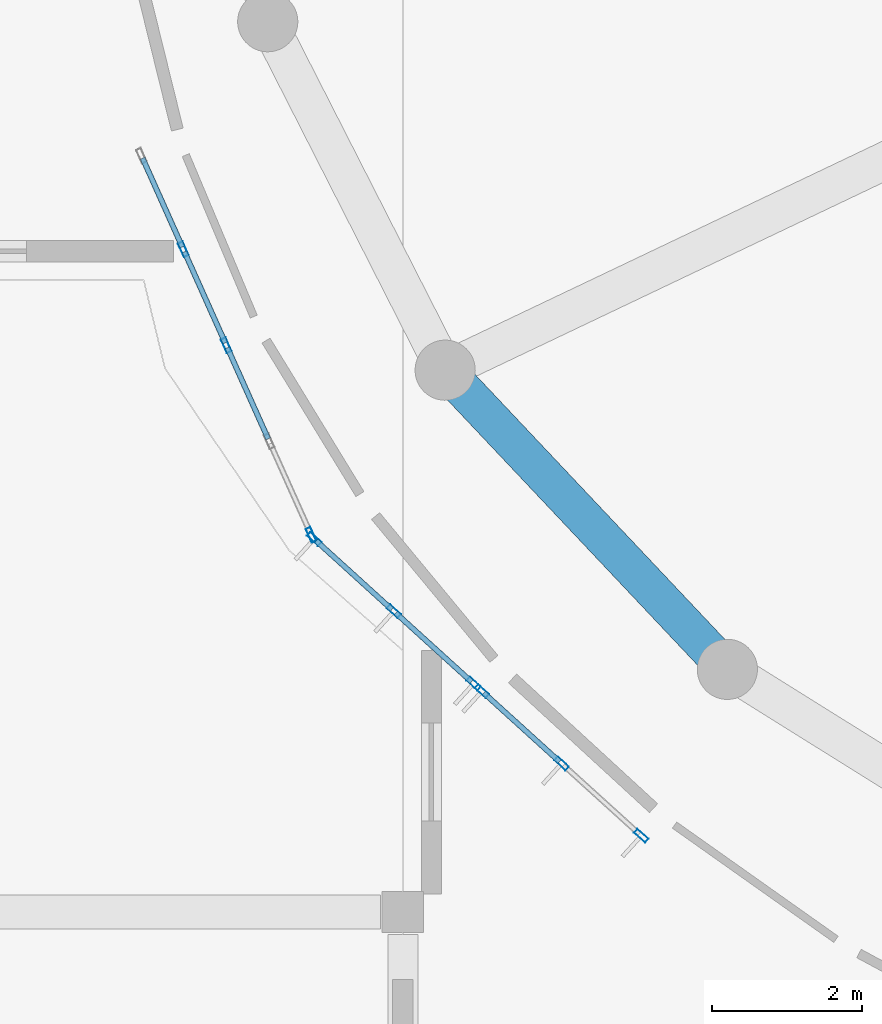
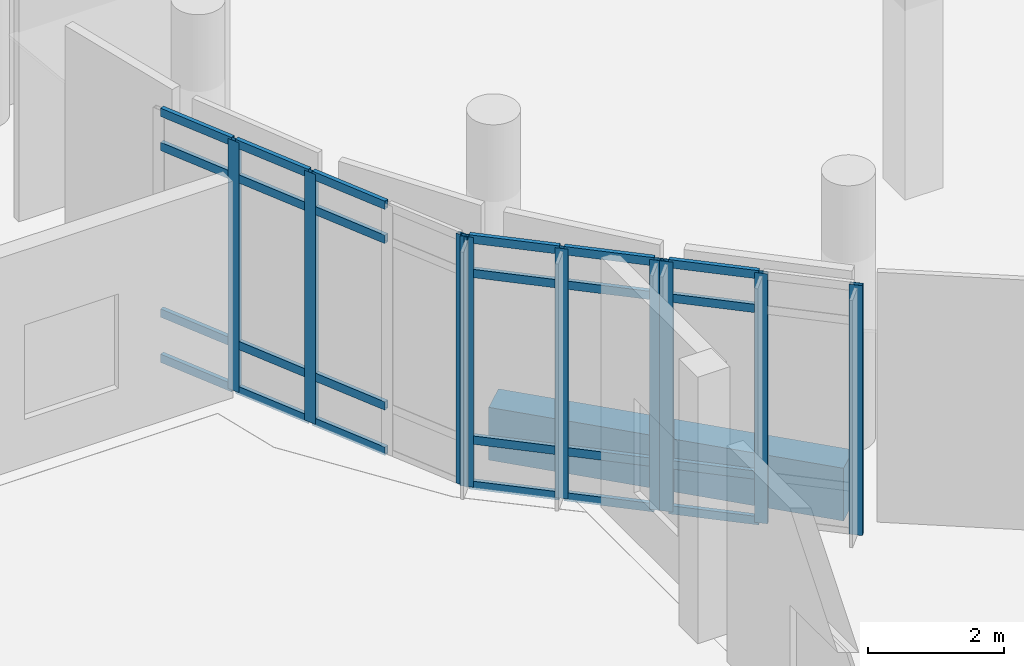
# One storey, part 3 of 63: 33 members, 1 beam, 3 elements without a shape of their own.
"""IFC4 building model written with IfcOpenShell, lengths in metres."""

from ifc_helpers import new_model, si_unit, derived_unit, direction, frame, origin, origin_2d, place, context, subcontext, project, spatial, rectangle, hollow_rectangle, extrude, material, layer, layer_set, material_profile, profile_set, type_object, element, aggregate, save


model = new_model("IFC4")

# Units and contexts
model_context = context("Model", 3, precision=1e-05, world=origin(), true_north=direction((0.0, 1.0)))
body_context = subcontext(model_context, "Body", "Model", "MODEL_VIEW")
ifc_project = project(units=[si_unit("LENGTHUNIT", "METRE"), si_unit("AREAUNIT", "SQUARE_METRE"), si_unit("VOLUMEUNIT", "CUBIC_METRE"), si_unit("PLANEANGLEUNIT", "RADIAN"), si_unit("MASSUNIT", "GRAM", prefix="KILO"), derived_unit("THERMALTRANSMITTANCEUNIT", [(si_unit("POWERUNIT", "WATT"), 1), (si_unit("LENGTHUNIT", "METRE"), -2), (si_unit("THERMODYNAMICTEMPERATUREUNIT", "KELVIN"), -1)])], contexts=[model_context])

# Site, building, storey
site_placement = place(None, origin())
site = spatial("IfcSite", under=ifc_project, at=site_placement, CompositionType="ELEMENT")
building_placement = place(site_placement, origin())
building = spatial("IfcBuilding", under=site, at=building_placement, Name="Elbkamm Science Centre", CompositionType="ELEMENT")
storey_placement = place(building_placement, frame((0.0, 0.0, 5.10009765625)))
storey = spatial("IfcBuildingStorey", under=building, at=storey_placement, Name="L01", CompositionType="ELEMENT", Elevation=5.10009765625)

# Beam
ifc_material_1 = material(Name="Concrete C40/50", Category="concrete")
ifc_material_profile_1 = material_profile(ifc_material_1, rectangle(XDim=0.5, YDim=0.949951171875, at=origin_2d()), Name="RC 500x950")
ifc_profile_set_1 = profile_set([ifc_material_profile_1], Name="Concrete C40/50")
beam_type = type_object("IfcBeamType", Name="BM-RC-500x950", PredefinedType="BEAM", material=ifc_profile_set_1)
beam_placement = place(storey_placement, frame((42.56201171875, 57.60009765625, -0.875), z_axis=(0.686122314522, -0.727486198848, 0.0), x_axis=(0.727486198848, 0.686122314522, 0.0)))
element("IfcBeam", 1, at=beam_placement, inside=storey, type_object=beam_type, Name="L01 Elliptical Shell Perimeter Ring Beam 15", PredefinedType="SPANDREL", context=body_context, shape_type="SweptSolid", body=[
    extrude(rectangle(XDim=0.5, YDim=0.949951171875, at=origin_2d()), origin(), (0.0, 0.0, 1.0), 5.465576171875),
])

# Curtain wall, members
ifc_material_2 = material(Name="Powder-coated aluminium and triple low-E glazing", Category="aluminium")
ifc_layer_1 = layer(ifc_material_2, 0.159912109375)
ifc_layer_set_1 = layer_set([ifc_layer_1], Name="Powder-coated aluminium and triple low-E glazing")
curtain_wall_type_1 = type_object("IfcCurtainWallType", Name="CW-UNIT-5580x4500", PredefinedType="USERDEFINED", material=ifc_layer_set_1)
curtain_wall_1_placement = place(storey_placement, origin())
curtain_wall_1 = element("IfcCurtainWall", 2, at=curtain_wall_1_placement, inside=storey, type_object=curtain_wall_type_1, Name="L01 Unitised Curtain Wall 012", ObjectType="UNITISED CURTAIN WALL", PredefinedType="USERDEFINED")
ifc_material_3 = material(Name="Powder-coated aluminium EN AW-6060", Category="aluminium")
ifc_material_profile_2 = material_profile(ifc_material_3, hollow_rectangle(XDim=0.070068359375, YDim=0.199951171875, WallThickness=0.00439453125, at=origin_2d()), Name="ALU M70x200")
ifc_profile_set_2 = profile_set([ifc_material_profile_2], Name="Powder-coated aluminium EN AW-6060")
member_type_1 = type_object("IfcMemberType", Name="CW-MUL-70x200", PredefinedType="MULLION", material=ifc_profile_set_2)
member_1_placement = place(storey_placement, frame((39.0830078125, 59.20556640625, 0.0), z_axis=(0.0, 0.0, 1.0), x_axis=(0.912753994477, 0.408509663981, 0.0)))
member_1 = element("IfcMember", 3, at=member_1_placement, type_object=member_type_1, Name="CW-007 mullion 2", PredefinedType="MULLION", context=body_context, shape_type="SweptSolid", body=[
    extrude(hollow_rectangle(XDim=0.070068359375, YDim=0.199951171875, WallThickness=0.00439453125, at=origin_2d()), origin(), (0.0, 0.0, 1.0), 4.5),
])
member_2_placement = place(storey_placement, frame((39.653564453125, 57.930419921875, 0.0), z_axis=(0.0, 0.0, 1.0), x_axis=(0.912753994477, 0.408509663981, 0.0)))
member_2 = element("IfcMember", 4, at=member_2_placement, type_object=member_type_1, Name="CW-007 mullion 3", PredefinedType="MULLION", context=body_context, shape_type="SweptSolid", body=[
    extrude(hollow_rectangle(XDim=0.070068359375, YDim=0.199951171875, WallThickness=0.00439453125, at=origin_2d()), origin(), (0.0, 0.0, 1.0), 4.5),
])
member_3_placement = place(storey_placement, frame((40.78076171875, 55.411865234375, 0.0), z_axis=(0.0, 0.0, 1.0), x_axis=(0.912753994477, 0.408509663981, 0.0)))
member_3 = element("IfcMember", 5, at=member_3_placement, type_object=member_type_1, Name="CW-007 mullion 5", PredefinedType="MULLION", context=body_context, shape_type="SweptSolid", body=[
    extrude(hollow_rectangle(XDim=0.070068359375, YDim=0.199951171875, WallThickness=0.00439453125, at=origin_2d()), origin(), (0.0, 0.0, 1.0), 4.5),
])

ifc_layer_2 = layer(ifc_material_2, 0.159912109375)
ifc_layer_set_2 = layer_set([ifc_layer_2], Name="Powder-coated aluminium and triple low-E glazing")
curtain_wall_type_2 = type_object("IfcCurtainWallType", Name="CW-UNIT-2940x4500", PredefinedType="USERDEFINED", material=ifc_layer_set_2)
curtain_wall_2_placement = place(storey_placement, origin())
curtain_wall_2 = element("IfcCurtainWall", 6, at=curtain_wall_2_placement, inside=storey, type_object=curtain_wall_type_2, Name="L01 Unitised Curtain Wall 013", ObjectType="UNITISED CURTAIN WALL", PredefinedType="USERDEFINED")
member_4_placement = place(storey_placement, frame((40.821044921875, 55.3564453125, 0.0), z_axis=(0.0, 0.0, 1.0), x_axis=(0.671993026035, 0.740557474448, 0.0)))
member_4 = element("IfcMember", 7, at=member_4_placement, type_object=member_type_1, Name="CW-008 mullion 1", PredefinedType="MULLION", context=body_context, shape_type="SweptSolid", body=[
    extrude(hollow_rectangle(XDim=0.070068359375, YDim=0.199951171875, WallThickness=0.00439453125, at=origin_2d()), origin(), (0.0, 0.0, 1.0), 4.5),
])
member_5_placement = place(storey_placement, frame((41.880126953125, 54.3955078125, 0.0), z_axis=(0.0, 0.0, 1.0), x_axis=(0.671993026035, 0.740557474448, 0.0)))
member_5 = element("IfcMember", 8, at=member_5_placement, type_object=member_type_1, Name="CW-008 mullion 2", PredefinedType="MULLION", context=body_context, shape_type="SweptSolid", body=[
    extrude(hollow_rectangle(XDim=0.070068359375, YDim=0.199951171875, WallThickness=0.00439453125, at=origin_2d()), origin(), (0.0, 0.0, 1.0), 4.5),
])
member_6_placement = place(storey_placement, frame((42.93896484375, 53.4345703125, 0.0), z_axis=(0.0, 0.0, 1.0), x_axis=(0.671993026035, 0.740557474448, 0.0)))
member_6 = element("IfcMember", 9, at=member_6_placement, type_object=member_type_1, Name="CW-008 mullion 3", PredefinedType="MULLION", context=body_context, shape_type="SweptSolid", body=[
    extrude(hollow_rectangle(XDim=0.070068359375, YDim=0.199951171875, WallThickness=0.00439453125, at=origin_2d()), origin(), (0.0, 0.0, 1.0), 4.5),
])

curtain_wall_3_placement = place(storey_placement, origin())
curtain_wall_3 = element("IfcCurtainWall", 10, at=curtain_wall_3_placement, inside=storey, type_object=curtain_wall_type_2, Name="L01 Unitised Curtain Wall 014", ObjectType="UNITISED CURTAIN WALL", PredefinedType="USERDEFINED")
member_7_placement = place(storey_placement, frame((43.050048828125, 53.333740234375, 0.0), z_axis=(0.0, 0.0, 1.0), x_axis=(0.671993026035, 0.740557474448, 0.0)))
member_7 = element("IfcMember", 11, at=member_7_placement, type_object=member_type_1, Name="CW-008 mullion 1", PredefinedType="MULLION", context=body_context, shape_type="SweptSolid", body=[
    extrude(hollow_rectangle(XDim=0.070068359375, YDim=0.199951171875, WallThickness=0.00439453125, at=origin_2d()), origin(), (0.0, 0.0, 1.0), 4.5),
])
member_8_placement = place(storey_placement, frame((44.109130859375, 52.372802734375, 0.0), z_axis=(0.0, 0.0, 1.0), x_axis=(0.671993026035, 0.740557474448, 0.0)))
member_8 = element("IfcMember", 12, at=member_8_placement, type_object=member_type_1, Name="CW-008 mullion 2", PredefinedType="MULLION", context=body_context, shape_type="SweptSolid", body=[
    extrude(hollow_rectangle(XDim=0.070068359375, YDim=0.199951171875, WallThickness=0.00439453125, at=origin_2d()), origin(), (0.0, 0.0, 1.0), 4.5),
])
member_9_placement = place(storey_placement, frame((45.168212890625, 51.41162109375, 0.0), z_axis=(0.0, 0.0, 1.0), x_axis=(0.671993026035, 0.740557474448, 0.0)))
member_9 = element("IfcMember", 13, at=member_9_placement, type_object=member_type_1, Name="CW-008 mullion 3", PredefinedType="MULLION", context=body_context, shape_type="SweptSolid", body=[
    extrude(hollow_rectangle(XDim=0.070068359375, YDim=0.199951171875, WallThickness=0.00439453125, at=origin_2d()), origin(), (0.0, 0.0, 1.0), 4.5),
])

# Member
ifc_material_profile_3 = material_profile(ifc_material_3, hollow_rectangle(XDim=0.070068359375, YDim=0.14990234375, WallThickness=0.00390625, at=origin_2d()), Name="ALU T70x150")
ifc_profile_set_3 = profile_set([ifc_material_profile_3], Name="Powder-coated aluminium EN AW-6060")
member_type_2 = type_object("IfcMemberType", Name="CW-TRN-70x150", PredefinedType="USERDEFINED", material=ifc_profile_set_3)
member_10_placement = place(storey_placement, frame((38.540771484375, 60.4169921875, 0.034912109375), z_axis=(0.408486201253, -0.912764495029, 0.0), x_axis=(0.912764495029, 0.408486201253, 0.0)))
member_10 = element("IfcMember", 14, at=member_10_placement, type_object=member_type_2, Name="CW-007 transom 1.1", ObjectType="TRANSOM", PredefinedType="USERDEFINED", context=body_context, shape_type="SweptSolid", body=[
    extrude(hollow_rectangle(XDim=0.070068359375, YDim=0.14990234375, WallThickness=0.00390625, at=origin_2d()), origin(), (0.0, 0.0, 1.0), 1.292236328125),
])

member_11_placement = place(storey_placement, frame((38.540771484375, 60.4169921875, 0.849853515625), z_axis=(0.408486201253, -0.912764495029, 0.0), x_axis=(0.912764495029, 0.408486201253, 0.0)))
member_11 = element("IfcMember", 15, at=member_11_placement, type_object=member_type_2, Name="CW-007 transom 1.2", ObjectType="TRANSOM", PredefinedType="USERDEFINED", context=body_context, shape_type="SweptSolid", body=[
    extrude(hollow_rectangle(XDim=0.070068359375, YDim=0.14990234375, WallThickness=0.00390625, at=origin_2d()), origin(), (0.0, 0.0, 1.0), 1.292236328125),
])

member_12_placement = place(storey_placement, frame((38.540771484375, 60.4169921875, 3.849853515625), z_axis=(0.408486201253, -0.912764495029, 0.0), x_axis=(0.912764495029, 0.408486201253, 0.0)))
member_12 = element("IfcMember", 16, at=member_12_placement, type_object=member_type_2, Name="CW-007 transom 1.3", ObjectType="TRANSOM", PredefinedType="USERDEFINED", context=body_context, shape_type="SweptSolid", body=[
    extrude(hollow_rectangle(XDim=0.070068359375, YDim=0.14990234375, WallThickness=0.00390625, at=origin_2d()), origin(), (0.0, 0.0, 1.0), 1.292236328125),
])

member_13_placement = place(storey_placement, frame((38.540771484375, 60.4169921875, 4.46484375), z_axis=(0.408486201253, -0.912764495029, 0.0), x_axis=(0.912764495029, 0.408486201253, 0.0)))
member_13 = element("IfcMember", 17, at=member_13_placement, type_object=member_type_2, Name="CW-007 transom 1.4", ObjectType="TRANSOM", PredefinedType="USERDEFINED", context=body_context, shape_type="SweptSolid", body=[
    extrude(hollow_rectangle(XDim=0.070068359375, YDim=0.14990234375, WallThickness=0.00390625, at=origin_2d()), origin(), (0.0, 0.0, 1.0), 1.292236328125),
])

member_14_placement = place(storey_placement, frame((39.09716796875, 59.173583984375, 0.034912109375), z_axis=(0.408612125923, -0.912708129989, 0.0), x_axis=(0.912708129989, 0.408612125923, 0.0)))
member_14 = element("IfcMember", 18, at=member_14_placement, type_object=member_type_2, Name="CW-007 transom 2.1", ObjectType="TRANSOM", PredefinedType="USERDEFINED", context=body_context, shape_type="SweptSolid", body=[
    extrude(hollow_rectangle(XDim=0.070068359375, YDim=0.14990234375, WallThickness=0.00390625, at=origin_2d()), origin(), (0.0, 0.0, 1.0), 1.326904296875),
])

member_15_placement = place(storey_placement, frame((39.09716796875, 59.173583984375, 0.849853515625), z_axis=(0.408612125923, -0.912708129989, 0.0), x_axis=(0.912708129989, 0.408612125923, 0.0)))
member_15 = element("IfcMember", 19, at=member_15_placement, type_object=member_type_2, Name="CW-007 transom 2.2", ObjectType="TRANSOM", PredefinedType="USERDEFINED", context=body_context, shape_type="SweptSolid", body=[
    extrude(hollow_rectangle(XDim=0.070068359375, YDim=0.14990234375, WallThickness=0.00390625, at=origin_2d()), origin(), (0.0, 0.0, 1.0), 1.326904296875),
])

member_16_placement = place(storey_placement, frame((39.09716796875, 59.173583984375, 3.849853515625), z_axis=(0.408612125923, -0.912708129989, 0.0), x_axis=(0.912708129989, 0.408612125923, 0.0)))
member_16 = element("IfcMember", 20, at=member_16_placement, type_object=member_type_2, Name="CW-007 transom 2.3", ObjectType="TRANSOM", PredefinedType="USERDEFINED", context=body_context, shape_type="SweptSolid", body=[
    extrude(hollow_rectangle(XDim=0.070068359375, YDim=0.14990234375, WallThickness=0.00390625, at=origin_2d()), origin(), (0.0, 0.0, 1.0), 1.326904296875),
])

member_17_placement = place(storey_placement, frame((39.09716796875, 59.173583984375, 4.46484375), z_axis=(0.408612125923, -0.912708129989, 0.0), x_axis=(0.912708129989, 0.408612125923, 0.0)))
member_17 = element("IfcMember", 21, at=member_17_placement, type_object=member_type_2, Name="CW-007 transom 2.4", ObjectType="TRANSOM", PredefinedType="USERDEFINED", context=body_context, shape_type="SweptSolid", body=[
    extrude(hollow_rectangle(XDim=0.070068359375, YDim=0.14990234375, WallThickness=0.00390625, at=origin_2d()), origin(), (0.0, 0.0, 1.0), 1.326904296875),
])

member_18_placement = place(storey_placement, frame((39.66796875, 57.8984375, 0.034912109375), z_axis=(0.40845884945, -0.912776735191, 0.0), x_axis=(0.912776735191, 0.40845884945, 0.0)))
member_18 = element("IfcMember", 22, at=member_18_placement, type_object=member_type_2, Name="CW-007 transom 3.1", ObjectType="TRANSOM", PredefinedType="USERDEFINED", context=body_context, shape_type="SweptSolid", body=[
    extrude(hollow_rectangle(XDim=0.070068359375, YDim=0.14990234375, WallThickness=0.00390625, at=origin_2d()), origin(), (0.0, 0.0, 1.0), 1.326904296875),
])

member_19_placement = place(storey_placement, frame((39.66796875, 57.8984375, 0.849853515625), z_axis=(0.40845884945, -0.912776735191, 0.0), x_axis=(0.912776735191, 0.40845884945, 0.0)))
member_19 = element("IfcMember", 23, at=member_19_placement, type_object=member_type_2, Name="CW-007 transom 3.2", ObjectType="TRANSOM", PredefinedType="USERDEFINED", context=body_context, shape_type="SweptSolid", body=[
    extrude(hollow_rectangle(XDim=0.070068359375, YDim=0.14990234375, WallThickness=0.00390625, at=origin_2d()), origin(), (0.0, 0.0, 1.0), 1.326904296875),
])

member_20_placement = place(storey_placement, frame((39.66796875, 57.8984375, 3.849853515625), z_axis=(0.40845884945, -0.912776735191, 0.0), x_axis=(0.912776735191, 0.40845884945, 0.0)))
member_20 = element("IfcMember", 24, at=member_20_placement, type_object=member_type_2, Name="CW-007 transom 3.3", ObjectType="TRANSOM", PredefinedType="USERDEFINED", context=body_context, shape_type="SweptSolid", body=[
    extrude(hollow_rectangle(XDim=0.070068359375, YDim=0.14990234375, WallThickness=0.00390625, at=origin_2d()), origin(), (0.0, 0.0, 1.0), 1.326904296875),
])

member_21_placement = place(storey_placement, frame((39.66796875, 57.8984375, 4.46484375), z_axis=(0.40845884945, -0.912776735191, 0.0), x_axis=(0.912776735191, 0.40845884945, 0.0)))
member_21 = element("IfcMember", 25, at=member_21_placement, type_object=member_type_2, Name="CW-007 transom 3.4", ObjectType="TRANSOM", PredefinedType="USERDEFINED", context=body_context, shape_type="SweptSolid", body=[
    extrude(hollow_rectangle(XDim=0.070068359375, YDim=0.14990234375, WallThickness=0.00390625, at=origin_2d()), origin(), (0.0, 0.0, 1.0), 1.326904296875),
])

aggregate(curtain_wall_1, [member_1, member_2, member_3, member_10, member_11, member_12, member_13, member_14, member_15, member_16, member_17, member_18, member_19, member_20, member_21])

member_22_placement = place(storey_placement, frame((40.846923828125, 55.3330078125, 0.034912109375), z_axis=(0.740556996951, -0.671993552251, 0.0), x_axis=(0.671993552251, 0.740556996951, 0.0)))
member_22 = element("IfcMember", 26, at=member_22_placement, type_object=member_type_2, Name="CW-008 transom 1.1", ObjectType="TRANSOM", PredefinedType="USERDEFINED", context=body_context, shape_type="SweptSolid", body=[
    extrude(hollow_rectangle(XDim=0.070068359375, YDim=0.14990234375, WallThickness=0.00390625, at=origin_2d()), origin(), (0.0, 0.0, 1.0), 1.360107421875),
])

member_23_placement = place(storey_placement, frame((40.846923828125, 55.3330078125, 0.849853515625), z_axis=(0.740556996951, -0.671993552251, 0.0), x_axis=(0.671993552251, 0.740556996951, 0.0)))
member_23 = element("IfcMember", 27, at=member_23_placement, type_object=member_type_2, Name="CW-008 transom 1.2", ObjectType="TRANSOM", PredefinedType="USERDEFINED", context=body_context, shape_type="SweptSolid", body=[
    extrude(hollow_rectangle(XDim=0.070068359375, YDim=0.14990234375, WallThickness=0.00390625, at=origin_2d()), origin(), (0.0, 0.0, 1.0), 1.360107421875),
])

member_24_placement = place(storey_placement, frame((40.846923828125, 55.3330078125, 3.849853515625), z_axis=(0.740556996951, -0.671993552251, 0.0), x_axis=(0.671993552251, 0.740556996951, 0.0)))
member_24 = element("IfcMember", 28, at=member_24_placement, type_object=member_type_2, Name="CW-008 transom 1.3", ObjectType="TRANSOM", PredefinedType="USERDEFINED", context=body_context, shape_type="SweptSolid", body=[
    extrude(hollow_rectangle(XDim=0.070068359375, YDim=0.14990234375, WallThickness=0.00390625, at=origin_2d()), origin(), (0.0, 0.0, 1.0), 1.360107421875),
])

member_25_placement = place(storey_placement, frame((40.846923828125, 55.3330078125, 4.46484375), z_axis=(0.740556996951, -0.671993552251, 0.0), x_axis=(0.671993552251, 0.740556996951, 0.0)))
member_25 = element("IfcMember", 29, at=member_25_placement, type_object=member_type_2, Name="CW-008 transom 1.4", ObjectType="TRANSOM", PredefinedType="USERDEFINED", context=body_context, shape_type="SweptSolid", body=[
    extrude(hollow_rectangle(XDim=0.070068359375, YDim=0.14990234375, WallThickness=0.00390625, at=origin_2d()), origin(), (0.0, 0.0, 1.0), 1.360107421875),
])

member_26_placement = place(storey_placement, frame((41.906005859375, 54.3720703125, 0.034912109375), z_axis=(0.740475929584, -0.672082880088, 0.0), x_axis=(0.672082880088, 0.740475929584, 0.0)))
member_26 = element("IfcMember", 30, at=member_26_placement, type_object=member_type_2, Name="CW-008 transom 2.1", ObjectType="TRANSOM", PredefinedType="USERDEFINED", context=body_context, shape_type="SweptSolid", body=[
    extrude(hollow_rectangle(XDim=0.070068359375, YDim=0.14990234375, WallThickness=0.00390625, at=origin_2d()), origin(), (0.0, 0.0, 1.0), 1.360107421875),
])

member_27_placement = place(storey_placement, frame((41.906005859375, 54.3720703125, 0.849853515625), z_axis=(0.740475929584, -0.672082880088, 0.0), x_axis=(0.672082880088, 0.740475929584, 0.0)))
member_27 = element("IfcMember", 31, at=member_27_placement, type_object=member_type_2, Name="CW-008 transom 2.2", ObjectType="TRANSOM", PredefinedType="USERDEFINED", context=body_context, shape_type="SweptSolid", body=[
    extrude(hollow_rectangle(XDim=0.070068359375, YDim=0.14990234375, WallThickness=0.00390625, at=origin_2d()), origin(), (0.0, 0.0, 1.0), 1.360107421875),
])

member_28_placement = place(storey_placement, frame((41.906005859375, 54.3720703125, 3.849853515625), z_axis=(0.740475929584, -0.672082880088, 0.0), x_axis=(0.672082880088, 0.740475929584, 0.0)))
member_28 = element("IfcMember", 32, at=member_28_placement, type_object=member_type_2, Name="CW-008 transom 2.3", ObjectType="TRANSOM", PredefinedType="USERDEFINED", context=body_context, shape_type="SweptSolid", body=[
    extrude(hollow_rectangle(XDim=0.070068359375, YDim=0.14990234375, WallThickness=0.00390625, at=origin_2d()), origin(), (0.0, 0.0, 1.0), 1.360107421875),
])

member_29_placement = place(storey_placement, frame((41.906005859375, 54.3720703125, 4.46484375), z_axis=(0.740475929584, -0.672082880088, 0.0), x_axis=(0.672082880088, 0.740475929584, 0.0)))
member_29 = element("IfcMember", 33, at=member_29_placement, type_object=member_type_2, Name="CW-008 transom 2.4", ObjectType="TRANSOM", PredefinedType="USERDEFINED", context=body_context, shape_type="SweptSolid", body=[
    extrude(hollow_rectangle(XDim=0.070068359375, YDim=0.14990234375, WallThickness=0.00390625, at=origin_2d()), origin(), (0.0, 0.0, 1.0), 1.360107421875),
])

aggregate(curtain_wall_2, [member_4, member_5, member_6, member_22, member_23, member_24, member_25, member_26, member_27, member_28, member_29])

member_30_placement = place(storey_placement, frame((43.075927734375, 53.31005859375, 0.034912109375), z_axis=(0.740646322035, -0.671895100188, 0.0), x_axis=(0.671895100188, 0.740646322035, 0.0)))
member_30 = element("IfcMember", 34, at=member_30_placement, type_object=member_type_2, Name="CW-008 transom 1.1", ObjectType="TRANSOM", PredefinedType="USERDEFINED", context=body_context, shape_type="SweptSolid", body=[
    extrude(hollow_rectangle(XDim=0.070068359375, YDim=0.14990234375, WallThickness=0.00390625, at=origin_2d()), origin(), (0.0, 0.0, 1.0), 1.360107421875),
])

member_31_placement = place(storey_placement, frame((43.075927734375, 53.31005859375, 0.849853515625), z_axis=(0.740646322035, -0.671895100188, 0.0), x_axis=(0.671895100188, 0.740646322035, 0.0)))
member_31 = element("IfcMember", 35, at=member_31_placement, type_object=member_type_2, Name="CW-008 transom 1.2", ObjectType="TRANSOM", PredefinedType="USERDEFINED", context=body_context, shape_type="SweptSolid", body=[
    extrude(hollow_rectangle(XDim=0.070068359375, YDim=0.14990234375, WallThickness=0.00390625, at=origin_2d()), origin(), (0.0, 0.0, 1.0), 1.360107421875),
])

member_32_placement = place(storey_placement, frame((43.075927734375, 53.31005859375, 3.849853515625), z_axis=(0.740646322035, -0.671895100188, 0.0), x_axis=(0.671895100188, 0.740646322035, 0.0)))
member_32 = element("IfcMember", 36, at=member_32_placement, type_object=member_type_2, Name="CW-008 transom 1.3", ObjectType="TRANSOM", PredefinedType="USERDEFINED", context=body_context, shape_type="SweptSolid", body=[
    extrude(hollow_rectangle(XDim=0.070068359375, YDim=0.14990234375, WallThickness=0.00390625, at=origin_2d()), origin(), (0.0, 0.0, 1.0), 1.360107421875),
])

member_33_placement = place(storey_placement, frame((43.075927734375, 53.31005859375, 4.46484375), z_axis=(0.740646322035, -0.671895100188, 0.0), x_axis=(0.671895100188, 0.740646322035, 0.0)))
member_33 = element("IfcMember", 37, at=member_33_placement, type_object=member_type_2, Name="CW-008 transom 1.4", ObjectType="TRANSOM", PredefinedType="USERDEFINED", context=body_context, shape_type="SweptSolid", body=[
    extrude(hollow_rectangle(XDim=0.070068359375, YDim=0.14990234375, WallThickness=0.00390625, at=origin_2d()), origin(), (0.0, 0.0, 1.0), 1.360107421875),
])

aggregate(curtain_wall_3, [member_7, member_8, member_9, member_30, member_31, member_32, member_33])

save(model, "model.ifc")
